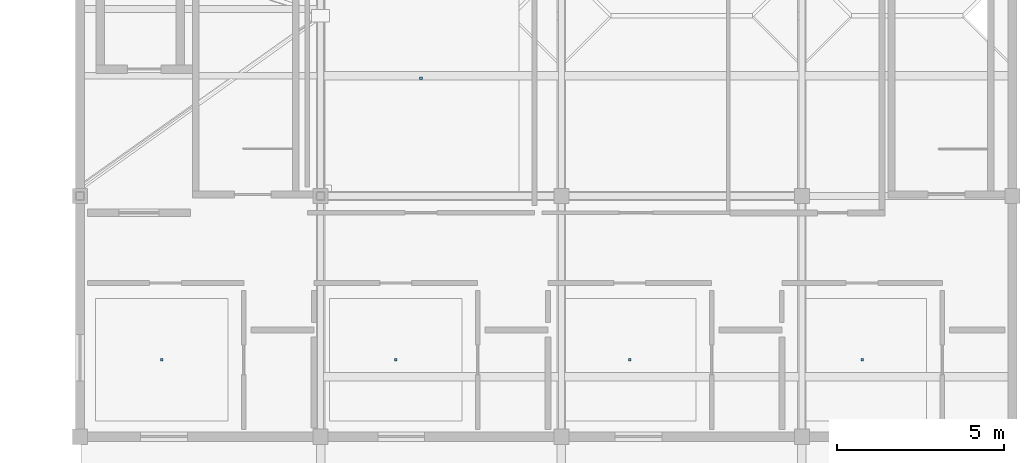
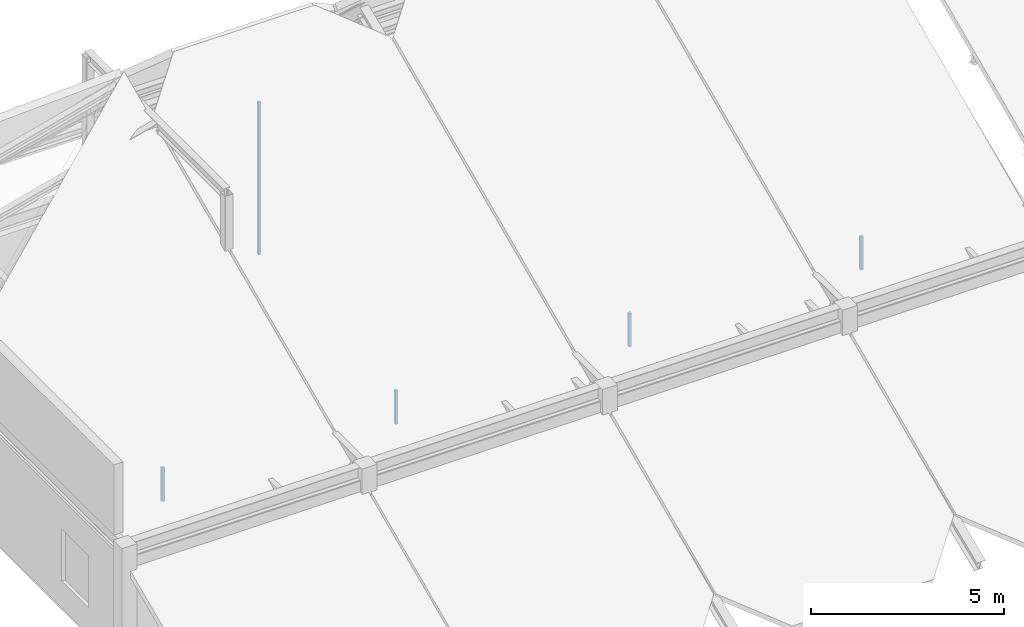
# One storey, part 46 of 54: 5 discrete accessories.
"""IFC4 building model written with IfcOpenShell, lengths in metres."""

from ifc_helpers import new_model, si_unit, direction, frame, origin, origin_2d, place, context, subcontext, project, spatial, rectangle, extrude, material, type_object, element, save


model = new_model("IFC4")

# Units and contexts
model_context = context("Model", 3, precision=1e-05, world=origin(), true_north=direction((0.0, 1.0)))
body_context = subcontext(model_context, "Body", "Model", "MODEL_VIEW")
ifc_project = project(units=[si_unit("LENGTHUNIT", "METRE"), si_unit("AREAUNIT", "SQUARE_METRE"), si_unit("VOLUMEUNIT", "CUBIC_METRE"), si_unit("PLANEANGLEUNIT", "RADIAN"), si_unit("MASSUNIT", "GRAM", prefix="KILO")], contexts=[model_context])

# Site, building, storey
site_placement = place(None, origin())
site = spatial("IfcSite", under=ifc_project, at=site_placement, CompositionType="ELEMENT")
building_placement = place(site_placement, origin())
building = spatial("IfcBuilding", under=site, at=building_placement, Name="Koriwan Promenade Central Fire Station", CompositionType="ELEMENT")
storey_placement = place(building_placement, frame((0.0, 0.0, 9.60009765625)))
storey = spatial("IfcBuildingStorey", under=building, at=storey_placement, Name="L02", CompositionType="ELEMENT", Elevation=9.60009765625)

# Discrete accessories
ifc_material = material(Name="Steel ASTM A572 Grade 50", Category="steel")
discrete_accessory_type = type_object("IfcDiscreteAccessoryType", Name="CeilingHanger_Bracket", PredefinedType="BRACKET", material=ifc_material)
discrete_accessory_1_placement = place(storey_placement, frame((31.25, 52.699951171875, 2.955078125), z_axis=(0.0, 0.0, 1.0), x_axis=(1.0, 0.0, 0.0)))
element("IfcDiscreteAccessory", 1, at=discrete_accessory_1_placement, inside=storey, type_object=discrete_accessory_type, Name="Crew Dormitory Suite A1 acoustic ceiling seismic hanger", PredefinedType="BRACKET", context=body_context, shape_type="SweptSolid", body=[
    extrude(rectangle(XDim=0.080078125, YDim=0.080078125, at=origin_2d()), origin(), (0.0, 0.0, 1.0), 1.062255859375),
])
for number, where, z_axis, x_axis, name in (
    (2, (38.25, 52.699951171875, 2.954833984375), (0.0, 0.0, 1.0), (1.0, 0.0, 0.0), "Crew Dormitory Suite A2 acoustic ceiling seismic hanger"),
    (3, (45.25, 52.699951171875, 2.954833984375), (0.0, 0.0, 1.0), (1.0, 0.0, 0.0), "Crew Dormitory Suite A3 acoustic ceiling seismic hanger"),
    (4, (52.199951171875, 52.699951171875, 2.954833984375), (0.0, 0.0, 1.0), (1.0, 0.0, 0.0), "Crew Dormitory Suite A4 acoustic ceiling seismic hanger"),
):
    element("IfcDiscreteAccessory", number, at=place(storey_placement, frame(where, z_axis=z_axis, x_axis=x_axis)), inside=storey, type_object=discrete_accessory_type, Name=name, PredefinedType="BRACKET", context=body_context, shape_type="SweptSolid", body=[
        extrude(rectangle(XDim=0.080078125, YDim=0.080078125, at=origin_2d()), origin(), (0.0, 0.0, 1.0), 1.06103515625),
    ])
discrete_accessory_2_placement = place(storey_placement, frame((39.0, 61.12744140625, 2.955078125), z_axis=(0.0, 0.0, 1.0), x_axis=(1.0, 0.0, 0.0)))
element("IfcDiscreteAccessory", 5, at=discrete_accessory_2_placement, inside=storey, type_object=discrete_accessory_type, Name="On-Call Watch Commander Duty Room acoustic ceiling seismic hanger", PredefinedType="BRACKET", context=body_context, shape_type="SweptSolid", body=[
    extrude(rectangle(XDim=0.080078125, YDim=0.080078125, at=origin_2d()), origin(), (0.0, 0.0, 1.0), 4.831298828125),
])

save(model, "model.ifc")
